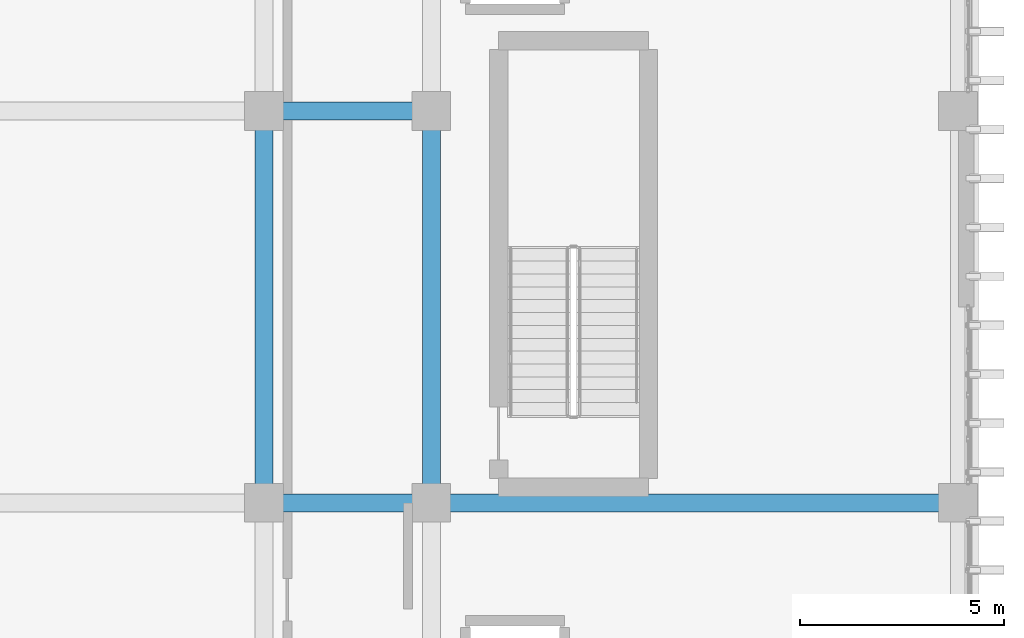
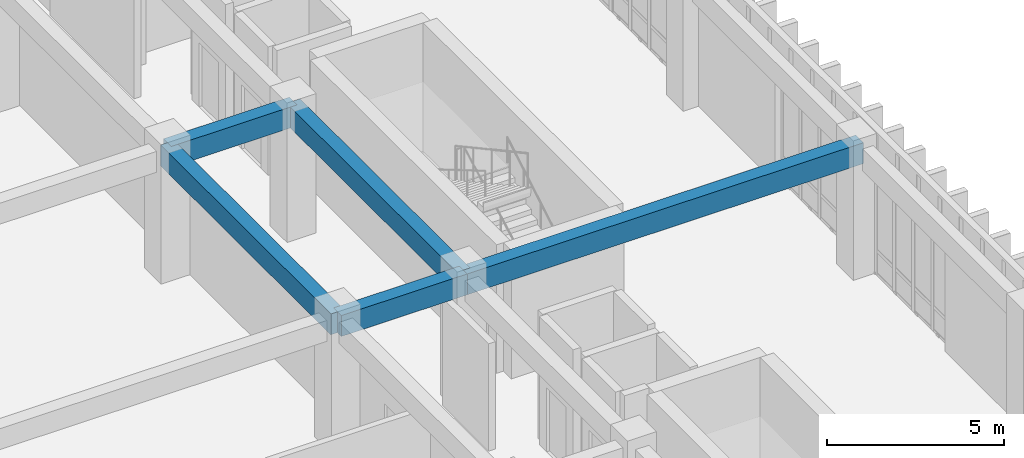
# One storey, part 64 of 133: 5 beams.
"""IFC4 building model written with IfcOpenShell, lengths in metres."""

from ifc_helpers import new_model, si_unit, direction, frame, origin, origin_2d, place, context, subcontext, project, spatial, rectangle, extrude, material, material_profile, profile_set, type_object, element, save


model = new_model("IFC4")

# Units and contexts
model_context = context("Model", 3, precision=1e-05, world=origin(), true_north=direction((0.0, 1.0)))
body_context = subcontext(model_context, "Body", "Model", "MODEL_VIEW")
ifc_project = project(units=[si_unit("LENGTHUNIT", "METRE"), si_unit("AREAUNIT", "SQUARE_METRE"), si_unit("VOLUMEUNIT", "CUBIC_METRE"), si_unit("PLANEANGLEUNIT", "RADIAN"), si_unit("MASSUNIT", "GRAM", prefix="KILO")], contexts=[model_context])

# Site, building, storey
site_placement = place(None, origin())
site = spatial("IfcSite", under=ifc_project, at=site_placement, CompositionType="ELEMENT")
building_placement = place(site_placement, origin())
building = spatial("IfcBuilding", under=site, at=building_placement, Name="Nakhvara Creek Congress Hotel", CompositionType="ELEMENT")
storey_placement = place(building_placement, frame((0.0, 0.0, 11.39990234375)))
storey = spatial("IfcBuildingStorey", under=building, at=storey_placement, Name="L02", CompositionType="ELEMENT", Elevation=11.39990234375)

# Beams
ifc_material = material(Name="Concrete C40/50", Category="concrete")
ifc_material_profile = material_profile(ifc_material, rectangle(XDim=0.43994140625, YDim=0.719970703125, at=origin_2d()), Name="RC-BM 440x720", Category="LoadBearing")
ifc_profile_set = profile_set([ifc_material_profile], Name="Concrete C40/50")
beam_type = type_object("IfcBeamType", Name="BM-RC-440X720", PredefinedType="BEAM", material=ifc_profile_set)
beam_1_placement = place(storey_placement, frame((162.35009765625, 48.0, 4.06005859375), z_axis=(0.0, 1.0, 0.0), x_axis=(-1.0, 0.0, 0.0)))
element("IfcBeam", 1, at=beam_1_placement, inside=storey, type_object=beam_type, Name="Beam B12-L02-1609", PredefinedType="BEAM", context=body_context, shape_type="SweptSolid", body=[
    extrude(rectangle(XDim=0.43994140625, YDim=0.719970703125, at=origin_2d()), origin(), (0.0, 0.0, 1.0), 9.60009765625),
])
for number, where, z_axis, x_axis, name in (
    (2, (162.35009765625, 48.0, 4.06005859375), (1.0, 0.0, 0.0), (0.0, 1.0, 0.0), "Beam B12-L02-1610"),
    (3, (162.35009765625, 57.60009765625, 4.06005859375), (1.0, 0.0, 0.0), (0.0, 1.0, 0.0), "Beam B12-L02-1612"),
):
    element("IfcBeam", number, at=place(storey_placement, frame(where, z_axis=z_axis, x_axis=x_axis)), inside=storey, type_object=beam_type, Name=name, PredefinedType="BEAM", context=body_context, shape_type="SweptSolid", body=[
        extrude(rectangle(XDim=0.43994140625, YDim=0.719970703125, at=origin_2d()), origin(), (0.0, 0.0, 1.0), 4.099853515625),
    ])
beam_2_placement = place(storey_placement, frame((166.449951171875, 48.0, 4.06005859375), z_axis=(0.0, 1.0, 0.0), x_axis=(-1.0, 0.0, 0.0)))
element("IfcBeam", 4, at=beam_2_placement, inside=storey, type_object=beam_type, Name="Beam B12-L02-1635", PredefinedType="BEAM", context=body_context, shape_type="SweptSolid", body=[
    extrude(rectangle(XDim=0.43994140625, YDim=0.719970703125, at=origin_2d()), origin(), (0.0, 0.0, 1.0), 9.60009765625),
])
beam_3_placement = place(storey_placement, frame((166.449951171875, 48.0, 4.06005859375), z_axis=(1.0, 0.0, 0.0), x_axis=(0.0, 1.0, 0.0)))
element("IfcBeam", 5, at=beam_3_placement, inside=storey, type_object=beam_type, Name="Beam B12-L02-1636", PredefinedType="BEAM", context=body_context, shape_type="SweptSolid", body=[
    extrude(rectangle(XDim=0.43994140625, YDim=0.719970703125, at=origin_2d()), origin(), (0.0, 0.0, 1.0), 12.900146484375),
])

save(model, "model.ifc")
